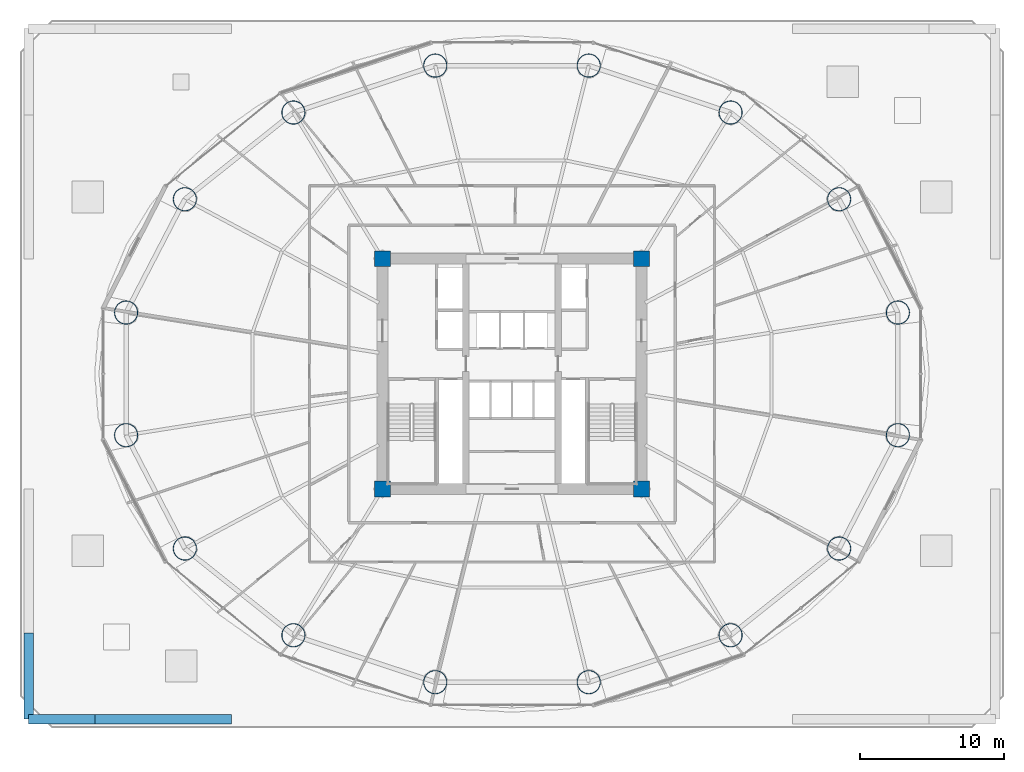
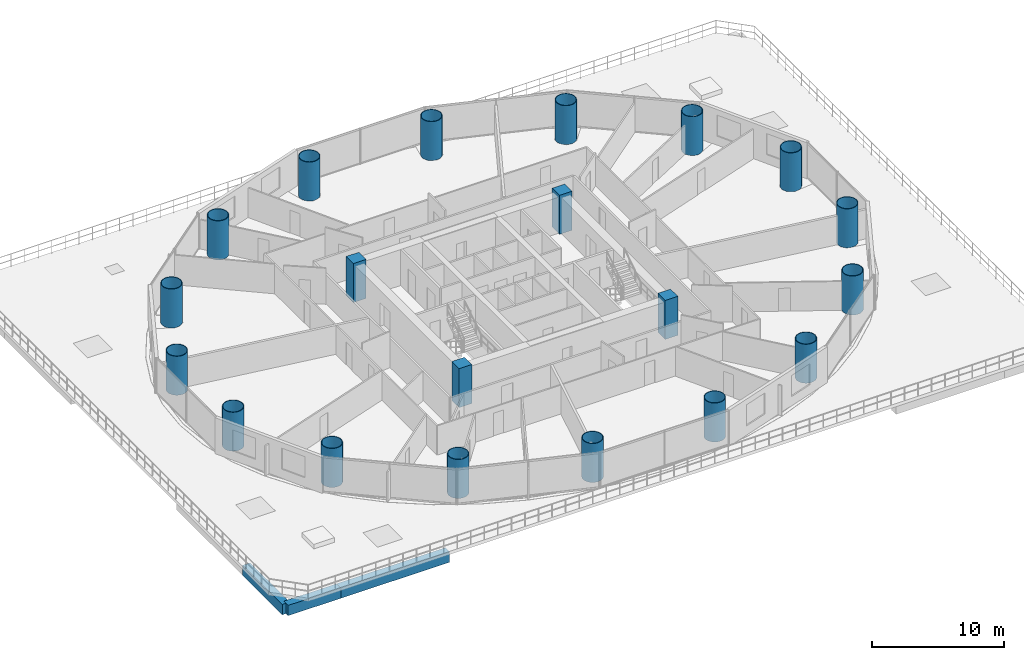
# One storey, part 1 of 37: 20 columns, 3 beams.
"""IFC4 building model written with IfcOpenShell, lengths in metres."""

from ifc_helpers import new_model, si_unit, direction, frame, origin, origin_2d, place, context, subcontext, project, spatial, rectangle, hollow_circle, extrude, material, material_profile, profile_set, type_object, element, save


model = new_model("IFC4")

# Units and contexts
model_context = context("Model", 3, precision=1e-05, world=origin(), true_north=direction((-0.2419218956, 0.970295726276)))
body_context = subcontext(model_context, "Body", "Model", "MODEL_VIEW")
ifc_project = project(units=[si_unit("LENGTHUNIT", "METRE"), si_unit("AREAUNIT", "SQUARE_METRE"), si_unit("VOLUMEUNIT", "CUBIC_METRE"), si_unit("PLANEANGLEUNIT", "RADIAN"), si_unit("MASSUNIT", "GRAM", prefix="KILO")], contexts=[model_context])

# Site, building, storey
site_placement = place(None, origin())
site = spatial("IfcSite", under=ifc_project, at=site_placement, CompositionType="ELEMENT")
building_placement = place(site_placement, origin())
building = spatial("IfcBuilding", under=site, at=building_placement, Name="Cobrevalo Terracotta Tower", CompositionType="ELEMENT")
storey_placement = place(building_placement, frame((0.0, 0.0, 24.0)))
storey = spatial("IfcBuildingStorey", under=building, at=storey_placement, Name="L05", CompositionType="ELEMENT", Elevation=24.0)

# Columns
ifc_material_1 = material(Name="Steel S355", Category="steel")
ifc_material_profile_1 = material_profile(ifc_material_1, hollow_circle(Radius=0.824951171875, WallThickness=0.050048828125, at=origin_2d()), Name="CHS 1650x50")
ifc_profile_set_1 = profile_set([ifc_material_profile_1], Name="Steel S355")
column_type_1 = type_object("IfcColumnType", Name="Structural Column CHS 1650x50 (Steel S355)", PredefinedType="COLUMN", material=ifc_profile_set_1)
for number, where, z_axis, x_axis, name in (
    (1, (64.824462890625, 31.062744140625, 0.0), (0.0, 0.0, 1.0), (1.0, 0.0, 0.0), "L05 composite megacolumn MC01"),
    (2, (60.74072265625, 38.939208984375, 0.0), (0.0, 0.0, 1.0), (1.0, 0.0, 0.0), "L05 composite megacolumn MC02"),
    (3, (53.19482421875, 44.967529296875, 0.0), (0.0, 0.0, 1.0), (1.0, 0.0, 0.0), "L05 composite megacolumn MC03"),
    (4, (43.335693359375, 48.230224609375, 0.0), (0.0, 0.0, 1.0), (1.0, 0.0, 0.0), "L05 composite megacolumn MC04"),
    (5, (32.664306640625, 48.230224609375, 0.0), (0.0, 0.0, 1.0), (1.0, 0.0, 0.0), "L05 composite megacolumn MC05"),
    (6, (22.80517578125, 44.967529296875, 0.0), (0.0, 0.0, 1.0), (1.0, 0.0, 0.0), "L05 composite megacolumn MC06"),
    (7, (15.25927734375, 38.939208984375, 0.0), (0.0, 0.0, 1.0), (1.0, 0.0, 0.0), "L05 composite megacolumn MC07"),
    (8, (11.175537109375, 31.062744140625, 0.0), (0.0, 0.0, 1.0), (1.0, 0.0, 0.0), "L05 composite megacolumn MC08"),
    (9, (11.175537109375, 22.537353515625, 0.0), (0.0, 0.0, 1.0), (1.0, 0.0, 0.0), "L05 composite megacolumn MC09"),
    (10, (15.25927734375, 14.660888671875, 0.0), (0.0, 0.0, 1.0), (1.0, 0.0, 0.0), "L05 composite megacolumn MC10"),
    (11, (22.80517578125, 8.63232421875, 0.0), (0.0, 0.0, 1.0), (1.0, 0.0, 0.0), "L05 composite megacolumn MC11"),
    (12, (32.664306640625, 5.369873046875, 0.0), (0.0, 0.0, 1.0), (1.0, 0.0, 0.0), "L05 composite megacolumn MC12"),
    (13, (43.335693359375, 5.369873046875, 0.0), (0.0, 0.0, 1.0), (1.0, 0.0, 0.0), "L05 composite megacolumn MC13"),
    (14, (53.19482421875, 8.63232421875, 0.0), (0.0, 0.0, 1.0), (1.0, 0.0, 0.0), "L05 composite megacolumn MC14"),
    (15, (60.74072265625, 14.660888671875, 0.0), (0.0, 0.0, 1.0), (1.0, 0.0, 0.0), "L05 composite megacolumn MC15"),
    (16, (64.824462890625, 22.537353515625, 0.0), (0.0, 0.0, 1.0), (1.0, 0.0, 0.0), "L05 composite megacolumn MC16"),
):
    element("IfcColumn", number, at=place(storey_placement, frame(where, z_axis=z_axis, x_axis=x_axis)), inside=storey, type_object=column_type_1, Name=name, PredefinedType="COLUMN", context=body_context, shape_type="SweptSolid", body=[
        extrude(hollow_circle(Radius=0.824951171875, WallThickness=0.050048828125, at=origin_2d()), origin(), (0.0, 0.0, 1.0), 3.60009765625),
    ])
ifc_material_2 = material(Name="Concrete C60", Category="concrete")
ifc_material_profile_2 = material_profile(ifc_material_2, rectangle(XDim=1.10009765625, YDim=1.10009765625, at=origin_2d()), Name="RC COL 1100x1100")
ifc_profile_set_2 = profile_set([ifc_material_profile_2], Name="Concrete C60")
column_type_2 = type_object("IfcColumnType", Name="Structural Column RC COL 1100x1100 (Concrete C60)", PredefinedType="COLUMN", material=ifc_profile_set_2)
for number, where, z_axis, x_axis, name in (
    (17, (29.0, 18.800048828125, 0.0), (0.0, 0.0, 1.0), (1.0, 0.0, 0.0), "L05 core corner column CC1"),
    (18, (47.0, 18.800048828125, 0.0), (0.0, 0.0, 1.0), (1.0, 0.0, 0.0), "L05 core corner column CC2"),
    (19, (47.0, 34.800048828125, 0.0), (0.0, 0.0, 1.0), (1.0, 0.0, 0.0), "L05 core corner column CC3"),
    (20, (29.0, 34.800048828125, 0.0), (0.0, 0.0, 1.0), (1.0, 0.0, 0.0), "L05 core corner column CC4"),
):
    element("IfcColumn", number, at=place(storey_placement, frame(where, z_axis=z_axis, x_axis=x_axis)), inside=storey, type_object=column_type_2, Name=name, PredefinedType="COLUMN", context=body_context, shape_type="SweptSolid", body=[
        extrude(rectangle(XDim=1.10009765625, YDim=1.10009765625, at=origin_2d()), origin(), (0.0, 0.0, 1.0), 3.60009765625),
    ])

# Beams
ifc_material_3 = material(Name="Concrete C50", Category="concrete")
ifc_material_profile_3 = material_profile(ifc_material_3, rectangle(XDim=0.64990234375, YDim=0.949951171875, at=origin_2d()), Name="RC BM 650x950")
ifc_profile_set_3 = profile_set([ifc_material_profile_3], Name="Concrete C50")
beam_type = type_object("IfcBeamType", Name="Structural Spandrel RC BM 650x950 (Concrete C50)", PredefinedType="SPANDREL", material=ifc_profile_set_3)
beam_1_placement = place(storey_placement, frame((4.39990234375, 2.800048828125, -0.7548828125), z_axis=(0.0, 1.0, 0.0), x_axis=(-1.0, 0.0, 0.0)))
element("IfcBeam", 21, at=beam_1_placement, inside=storey, type_object=beam_type, Name="L05 podium grid beam G1-GA to G1-GB", PredefinedType="SPANDREL", context=body_context, shape_type="SweptSolid", body=[
    extrude(rectangle(XDim=0.64990234375, YDim=0.949951171875, at=origin_2d()), origin(), (0.0, 0.0, 1.0), 6.0),
])
beam_2_placement = place(storey_placement, frame((4.39990234375, 2.800048828125, -0.7548828125), z_axis=(1.0, 0.0, 0.0), x_axis=(0.0, 1.0, 0.0)))
element("IfcBeam", 22, at=beam_2_placement, inside=storey, type_object=beam_type, Name="L05 podium grid beam G1-GA to G2-GA", PredefinedType="SPANDREL", context=body_context, shape_type="SweptSolid", body=[
    extrude(rectangle(XDim=0.64990234375, YDim=0.949951171875, at=origin_2d()), origin(), (0.0, 0.0, 1.0), 4.60009765625),
])
beam_3_placement = place(storey_placement, frame((9.0, 2.800048828125, -0.7548828125), z_axis=(1.0, 0.0, 0.0), x_axis=(0.0, 1.0, 0.0)))
element("IfcBeam", 23, at=beam_3_placement, inside=storey, type_object=beam_type, Name="L05 podium grid beam G2-GA to G3-GA", PredefinedType="SPANDREL", context=body_context, shape_type="SweptSolid", body=[
    extrude(rectangle(XDim=0.64990234375, YDim=0.949951171875, at=origin_2d()), origin(), (0.0, 0.0, 1.0), 9.5),
])

save(model, "model.ifc")
